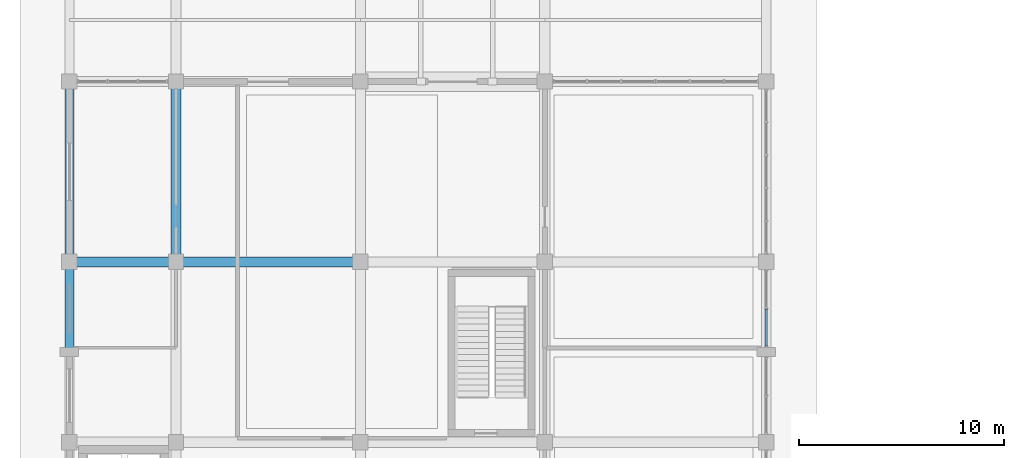
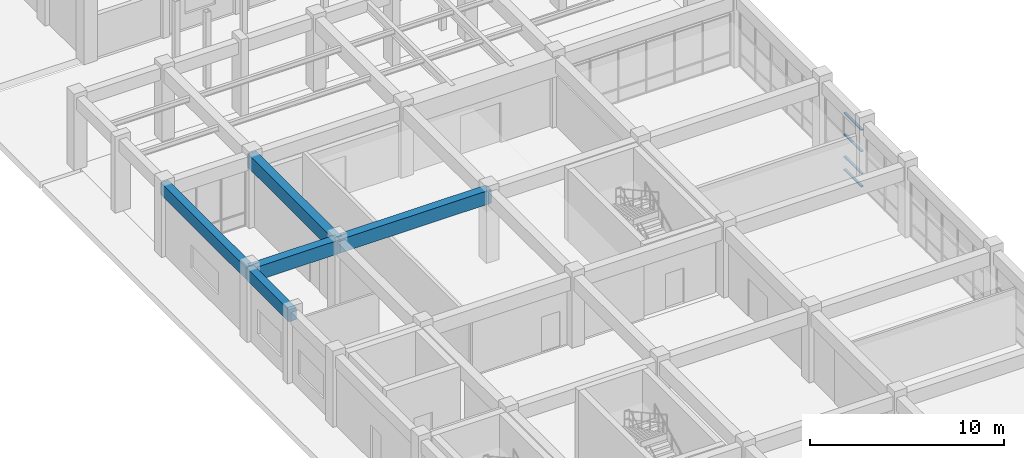
# One storey, part 5 of 47: 5 beams, 4 members, 1 element without a shape of its own.
"""IFC4 building model written with IfcOpenShell, lengths in metres."""

from ifc_helpers import new_model, si_unit, direction, frame, origin, origin_2d, place, context, subcontext, project, spatial, rectangle, hollow_rectangle, extrude, material, layer, layer_set, material_profile, profile_set, type_object, element, aggregate, save


model = new_model("IFC4")

# Units and contexts
model_context = context("Model", 3, precision=1e-05, world=origin(), true_north=direction((0.0, 1.0)))
body_context = subcontext(model_context, "Body", "Model", "MODEL_VIEW")
ifc_project = project(units=[si_unit("LENGTHUNIT", "METRE"), si_unit("AREAUNIT", "SQUARE_METRE"), si_unit("VOLUMEUNIT", "CUBIC_METRE"), si_unit("PLANEANGLEUNIT", "RADIAN"), si_unit("MASSUNIT", "GRAM", prefix="KILO")], contexts=[model_context])

# Site, building, storey
site_placement = place(None, origin())
site = spatial("IfcSite", under=ifc_project, at=site_placement, CompositionType="ELEMENT")
building_placement = place(site_placement, origin())
building = spatial("IfcBuilding", under=site, at=building_placement, Name="Ventoquebrada Cableway Terminal", CompositionType="ELEMENT")
storey_placement = place(building_placement, origin())
storey = spatial("IfcBuildingStorey", under=building, at=storey_placement, Name="L00", CompositionType="ELEMENT", Elevation=0.0)

# Beams
ifc_material_1 = material(Name="Concrete C40/50", Category="concrete")
ifc_material_profile_1 = material_profile(ifc_material_1, rectangle(XDim=0.5, YDim=0.85009765625, at=origin_2d()), Name="RC-BM-500X850")
ifc_profile_set_1 = profile_set([ifc_material_profile_1], Name="Concrete C40/50")
beam_type_1 = type_object("IfcBeamType", Name="BM-RC04", PredefinedType="BEAM", material=ifc_profile_set_1)
beam_1_placement = place(storey_placement, frame((3.0, 38.199951171875, 4.014892578125), z_axis=(1.0, 0.0, 0.0), x_axis=(0.0, 1.0, 0.0)))
element("IfcBeam", 1, at=beam_1_placement, inside=storey, type_object=beam_type_1, Name="Primary frame girder FBM-0092", PredefinedType="BEAM", context=body_context, shape_type="SweptSolid", body=[
    extrude(rectangle(XDim=0.5, YDim=0.85009765625, at=origin_2d()), origin(), (0.0, 0.0, 1.0), 5.199951171875),
])
beam_2_placement = place(storey_placement, frame((8.199951171875, 38.199951171875, 4.014892578125), z_axis=(1.0, 0.0, 0.0), x_axis=(0.0, 1.0, 0.0)))
element("IfcBeam", 2, at=beam_2_placement, inside=storey, type_object=beam_type_1, Name="Primary frame girder FBM-0093", PredefinedType="BEAM", context=body_context, shape_type="SweptSolid", body=[
    extrude(rectangle(XDim=0.5, YDim=0.85009765625, at=origin_2d()), origin(), (0.0, 0.0, 1.0), 9.0),
])
beam_3_placement = place(storey_placement, frame((8.199951171875, 38.199951171875, 4.014892578125), z_axis=(0.0, 1.0, 0.0), x_axis=(-1.0, 0.0, 0.0)))
element("IfcBeam", 3, at=beam_3_placement, inside=storey, type_object=beam_type_1, Name="Primary frame girder FBM-0121", PredefinedType="BEAM", context=body_context, shape_type="SweptSolid", body=[
    extrude(rectangle(XDim=0.5, YDim=0.85009765625, at=origin_2d()), origin(), (0.0, 0.0, 1.0), 8.800048828125),
])

# Curtain wall, members
ifc_material_2 = material(Name="Anodized thermally-broken aluminium", Category="aluminium")
ifc_layer = layer(ifc_material_2, 0.159912109375)
ifc_layer_set = layer_set([ifc_layer], Name="Anodized thermally-broken aluminium")
curtain_wall_type = type_object("IfcCurtainWallType", Name="CW-T01", PredefinedType="USERDEFINED", material=ifc_layer_set)
curtain_wall_placement = place(storey_placement, origin())
curtain_wall = element("IfcCurtainWall", 4, at=curtain_wall_placement, inside=storey, type_object=curtain_wall_type, Name="Unitised glazed curtain wall CW-005", ObjectType="UNITISED CURTAIN WALL", PredefinedType="USERDEFINED")
ifc_material_profile_2 = material_profile(ifc_material_2, hollow_rectangle(XDim=0.06494140625, YDim=0.139892578125, WallThickness=0.00390625, at=origin_2d()), Name="CW-TRN-65X140")
ifc_profile_set_2 = profile_set([ifc_material_profile_2], Name="Anodized thermally-broken aluminium")
member_type = type_object("IfcMemberType", Name="CWT-01", PredefinedType="USERDEFINED", material=ifc_profile_set_2)
member_1_placement = place(storey_placement, frame((37.0, 34.093017578125, 0.034912109375), z_axis=(0.0, 1.0, 0.0), x_axis=(0.0, 0.0, 1.0)))
member_1 = element("IfcMember", 5, at=member_1_placement, type_object=member_type, Name="Curtain wall transom FTR-0045", ObjectType="TRANSOM", PredefinedType="USERDEFINED", context=body_context, shape_type="SweptSolid", body=[
    extrude(hollow_rectangle(XDim=0.06494140625, YDim=0.139892578125, WallThickness=0.00390625, at=origin_2d()), origin(), (0.0, 0.0, 1.0), 1.804931640625),
])
member_2_placement = place(storey_placement, frame((37.0, 34.093017578125, 0.85009765625), z_axis=(0.0, 1.0, 0.0), x_axis=(0.0, 0.0, 1.0)))
member_2 = element("IfcMember", 6, at=member_2_placement, type_object=member_type, Name="Curtain wall transom FTR-0046", ObjectType="TRANSOM", PredefinedType="USERDEFINED", context=body_context, shape_type="SweptSolid", body=[
    extrude(hollow_rectangle(XDim=0.06494140625, YDim=0.139892578125, WallThickness=0.00390625, at=origin_2d()), origin(), (0.0, 0.0, 1.0), 1.804931640625),
])
member_3_placement = place(storey_placement, frame((37.0, 34.093017578125, 2.248046875), z_axis=(0.0, 1.0, 0.0), x_axis=(0.0, 0.0, 1.0)))
member_3 = element("IfcMember", 7, at=member_3_placement, type_object=member_type, Name="Curtain wall transom FTR-0047", ObjectType="TRANSOM", PredefinedType="USERDEFINED", context=body_context, shape_type="SweptSolid", body=[
    extrude(hollow_rectangle(XDim=0.06494140625, YDim=0.139892578125, WallThickness=0.00390625, at=origin_2d()), origin(), (0.0, 0.0, 1.0), 1.804931640625),
])
member_4_placement = place(storey_placement, frame((37.0, 34.093017578125, 3.590087890625), z_axis=(0.0, 1.0, 0.0), x_axis=(0.0, 0.0, 1.0)))
member_4 = element("IfcMember", 8, at=member_4_placement, type_object=member_type, Name="Curtain wall transom FTR-0048", ObjectType="TRANSOM", PredefinedType="USERDEFINED", context=body_context, shape_type="SweptSolid", body=[
    extrude(hollow_rectangle(XDim=0.06494140625, YDim=0.139892578125, WallThickness=0.00390625, at=origin_2d()), origin(), (0.0, 0.0, 1.0), 1.804931640625),
])
aggregate(curtain_wall, [member_1, member_2, member_3, member_4])

# Beams
ifc_material_profile_3 = material_profile(ifc_material_1, rectangle(XDim=0.449951171875, YDim=0.75, at=origin_2d()), Name="RC-BM-450X750")
ifc_profile_set_3 = profile_set([ifc_material_profile_3], Name="Concrete C40/50")
beam_type_2 = type_object("IfcBeamType", Name="SP-RC02", PredefinedType="SPANDREL", material=ifc_profile_set_3)
beam_4_placement = place(storey_placement, frame((3.0, 33.800048828125, 4.06494140625), z_axis=(0.0, 1.0, 0.0), x_axis=(-1.0, 0.0, 0.0)))
element("IfcBeam", 9, at=beam_4_placement, inside=storey, type_object=beam_type_2, Name="Perimeter spandrel beam FBM-0113", PredefinedType="SPANDREL", context=body_context, shape_type="SweptSolid", body=[
    extrude(rectangle(XDim=0.449951171875, YDim=0.75, at=origin_2d()), origin(), (0.0, 0.0, 1.0), 4.39990234375),
])
beam_5_placement = place(storey_placement, frame((3.0, 38.199951171875, 4.06494140625), z_axis=(0.0, 1.0, 0.0), x_axis=(-1.0, 0.0, 0.0)))
element("IfcBeam", 10, at=beam_5_placement, inside=storey, type_object=beam_type_2, Name="Perimeter spandrel beam FBM-0114", PredefinedType="SPANDREL", context=body_context, shape_type="SweptSolid", body=[
    extrude(rectangle(XDim=0.449951171875, YDim=0.75, at=origin_2d()), origin(), (0.0, 0.0, 1.0), 8.800048828125),
])

save(model, "model.ifc")
